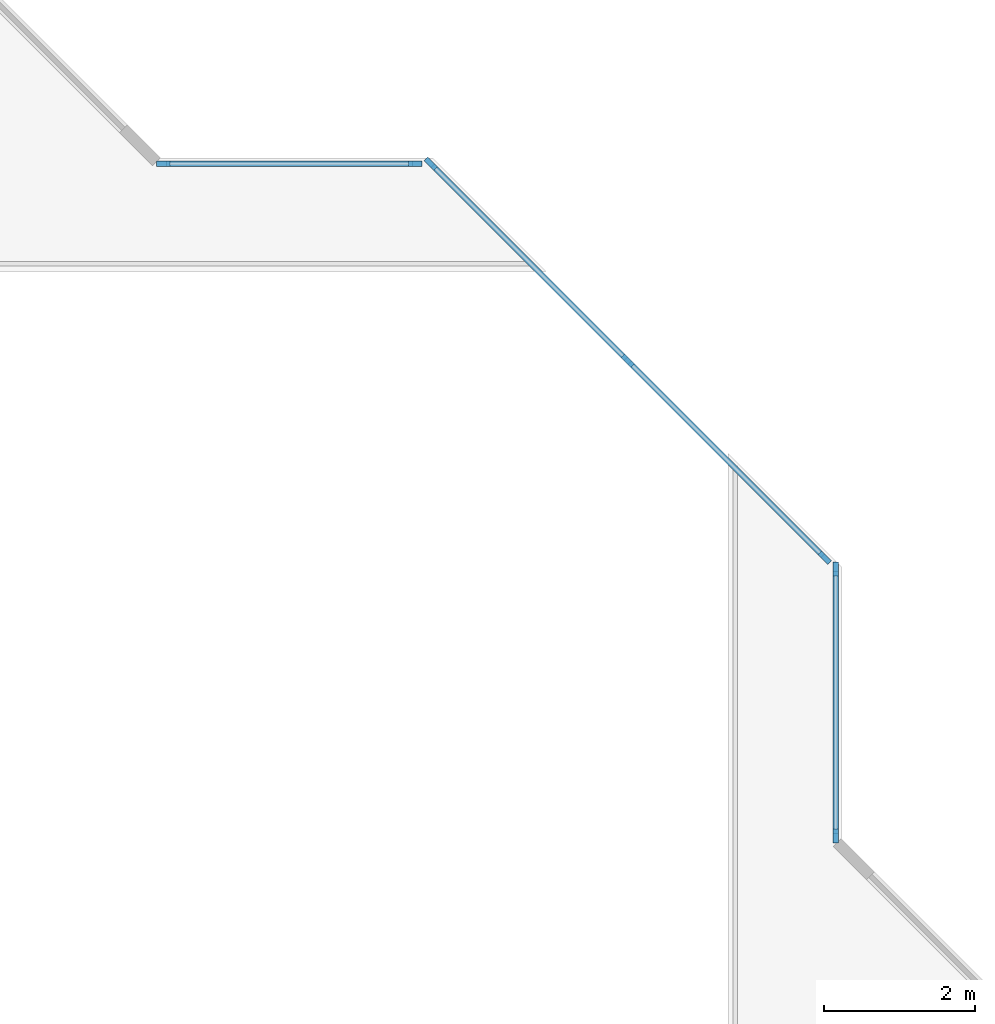
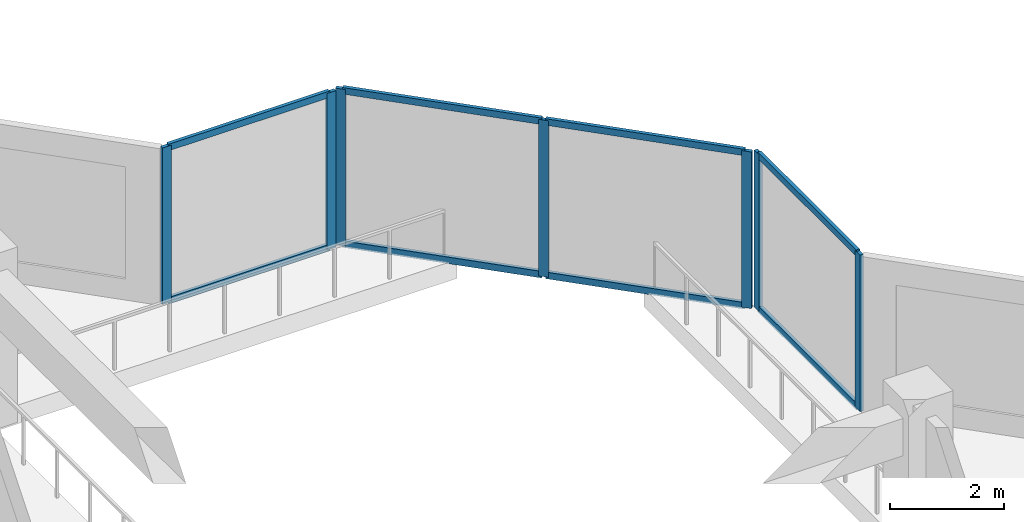
# One storey, part 2 of 14: 15 members, 3 elements without a shape of their own.
"""IFC4 building model written with IfcOpenShell, lengths in metres."""

from ifc_helpers import new_model, si_unit, direction, frame, origin, origin_2d, place, context, subcontext, project, spatial, rectangle, extrude, material, layer, layer_set, material_profile, profile_set, type_object, element, aggregate, save


model = new_model("IFC4")

# Units and contexts
model_context = context("Model", 3, precision=1e-05, world=origin(), true_north=direction((0.0, 1.0)))
body_context = subcontext(model_context, "Body", "Model", "MODEL_VIEW")
ifc_project = project(units=[si_unit("LENGTHUNIT", "METRE"), si_unit("AREAUNIT", "SQUARE_METRE"), si_unit("VOLUMEUNIT", "CUBIC_METRE"), si_unit("PLANEANGLEUNIT", "RADIAN"), si_unit("MASSUNIT", "GRAM", prefix="KILO")], contexts=[model_context])

# Site, building, storey
site_placement = place(None, origin())
site = spatial("IfcSite", under=ifc_project, at=site_placement, CompositionType="ELEMENT")
building_placement = place(site_placement, origin())
building = spatial("IfcBuilding", under=site, at=building_placement, Name="Chenar Terraces", CompositionType="ELEMENT")
storey_placement = place(building_placement, frame((0.0, 0.0, 168.64990234375)))
storey = spatial("IfcBuildingStorey", under=building, at=storey_placement, Name="L38", CompositionType="ELEMENT", Elevation=168.64990234375)

# Curtain wall, members
ifc_material_1 = material(Name="Aluminium framed glazing", Category="aluminium")
ifc_layer = layer(ifc_material_1, 0.14990234375)
ifc_layer_set = layer_set([ifc_layer], Name="Aluminium framed glazing")
curtain_wall_type = type_object("IfcCurtainWallType", Name="Atrium mid-zone curtain wall", PredefinedType="NOTDEFINED", material=ifc_layer_set)
placement = place(storey_placement, origin())
curtain_wall_1 = element("IfcCurtainWall", 1, at=placement, inside=storey, type_object=curtain_wall_type, Name="Atrium mid-zone curtain wall", PredefinedType="NOTDEFINED")
ifc_material_2 = material(Name="Aluminium", Category="aluminium")
ifc_material_profile_1 = material_profile(ifc_material_2, rectangle(XDim=0.070068359375, YDim=0.179931640625, at=origin_2d()), Name="Atrium mid-zone glazing mullion 70 x 180")
ifc_profile_set_1 = profile_set([ifc_material_profile_1], Name="Aluminium")
member_type_1 = type_object("IfcMemberType", Name="Atrium mid-zone glazing mullion 70 x 180", PredefinedType="MULLION", material=ifc_profile_set_1)
member_1_placement = place(storey_placement, frame((37.425048828125, 28.534912109375, 0.0), z_axis=(0.0, 0.0, 1.0), x_axis=(-1.0, 0.0, 0.0)))
member_1 = element("IfcMember", 2, at=member_1_placement, type_object=member_type_1, Name="CW7-1 mullion 1", PredefinedType="MULLION", context=body_context, shape_type="SweptSolid", body=[
    extrude(rectangle(XDim=0.070068359375, YDim=0.179931640625, at=origin_2d()), origin(), (0.0, 0.0, 1.0), 3.35009765625),
])
member_2_placement = place(storey_placement, frame((37.425048828125, 32.06494140625, 0.0), z_axis=(0.0, 0.0, 1.0), x_axis=(-1.0, 0.0, 0.0)))
member_2 = element("IfcMember", 3, at=member_2_placement, type_object=member_type_1, Name="CW7-1 mullion 2", PredefinedType="MULLION", context=body_context, shape_type="SweptSolid", body=[
    extrude(rectangle(XDim=0.070068359375, YDim=0.179931640625, at=origin_2d()), origin(), (0.0, 0.0, 1.0), 3.35009765625),
])

curtain_wall_2 = element("IfcCurtainWall", 4, at=placement, inside=storey, type_object=curtain_wall_type, Name="Atrium mid-zone curtain wall", PredefinedType="NOTDEFINED")
member_3_placement = place(storey_placement, frame((37.28076171875, 32.213134765625, 0.0), z_axis=(0.0, 0.0, 1.0), x_axis=(-0.707106781187, -0.707106781187, 0.0)))
member_3 = element("IfcMember", 5, at=member_3_placement, type_object=member_type_1, Name="CW7-2 mullion 1", PredefinedType="MULLION", context=body_context, shape_type="SweptSolid", body=[
    extrude(rectangle(XDim=0.070068359375, YDim=0.179931640625, at=origin_2d()), origin(), (0.0, 0.0, 1.0), 3.35009765625),
])
member_4_placement = place(storey_placement, frame((34.67626953125, 34.817626953125, 0.0), z_axis=(0.0, 0.0, 1.0), x_axis=(-0.707106781187, -0.707106781187, 0.0)))
member_4 = element("IfcMember", 6, at=member_4_placement, type_object=member_type_1, Name="CW7-2 mullion 2", PredefinedType="MULLION", context=body_context, shape_type="SweptSolid", body=[
    extrude(rectangle(XDim=0.070068359375, YDim=0.179931640625, at=origin_2d()), origin(), (0.0, 0.0, 1.0), 3.35009765625),
])
member_5_placement = place(storey_placement, frame((32.07177734375, 37.42236328125, 0.0), z_axis=(0.0, 0.0, 1.0), x_axis=(-0.707106781187, -0.707106781187, 0.0)))
member_5 = element("IfcMember", 7, at=member_5_placement, type_object=member_type_1, Name="CW7-2 mullion 3", PredefinedType="MULLION", context=body_context, shape_type="SweptSolid", body=[
    extrude(rectangle(XDim=0.070068359375, YDim=0.179931640625, at=origin_2d()), origin(), (0.0, 0.0, 1.0), 3.35009765625),
])

curtain_wall_3 = element("IfcCurtainWall", 8, at=placement, inside=storey, type_object=curtain_wall_type, Name="Atrium mid-zone curtain wall", PredefinedType="NOTDEFINED")
member_6_placement = place(storey_placement, frame((31.864990234375, 37.425048828125, 0.0), z_axis=(0.0, 0.0, 1.0), x_axis=(0.0, -1.0, 0.0)))
member_6 = element("IfcMember", 9, at=member_6_placement, type_object=member_type_1, Name="CW7-3 mullion 1", PredefinedType="MULLION", context=body_context, shape_type="SweptSolid", body=[
    extrude(rectangle(XDim=0.070068359375, YDim=0.179931640625, at=origin_2d()), origin(), (0.0, 0.0, 1.0), 3.35009765625),
])
member_7_placement = place(storey_placement, frame((28.534912109375, 37.425048828125, 0.0), z_axis=(0.0, 0.0, 1.0), x_axis=(0.0, -1.0, 0.0)))
member_7 = element("IfcMember", 10, at=member_7_placement, type_object=member_type_1, Name="CW7-3 mullion 2", PredefinedType="MULLION", context=body_context, shape_type="SweptSolid", body=[
    extrude(rectangle(XDim=0.070068359375, YDim=0.179931640625, at=origin_2d()), origin(), (0.0, 0.0, 1.0), 3.35009765625),
])

# Member
ifc_material_3 = material(Name="Aluminium", Category="aluminium")
ifc_material_profile_2 = material_profile(ifc_material_3, rectangle(XDim=0.070068359375, YDim=0.139892578125, at=origin_2d()), Name="Atrium mid-zone glazing transom 70 x 140")
ifc_profile_set_2 = profile_set([ifc_material_profile_2], Name="Aluminium")
member_type_2 = type_object("IfcMemberType", Name="Atrium mid-zone glazing transom 70 x 140", PredefinedType="USERDEFINED", material=ifc_profile_set_2)
member_8_placement = place(storey_placement, frame((37.425048828125, 28.570068359375, 0.03515625), z_axis=(0.0, 1.0, 0.0), x_axis=(-1.0, 0.0, 0.0)))
member_8 = element("IfcMember", 11, at=member_8_placement, type_object=member_type_2, Name="CW7-1 transom 1.1", ObjectType="TRANSOM", PredefinedType="USERDEFINED", context=body_context, shape_type="SweptSolid", body=[
    extrude(rectangle(XDim=0.070068359375, YDim=0.139892578125, at=origin_2d()), origin(), (0.0, 0.0, 1.0), 3.4599609375),
])

member_9_placement = place(storey_placement, frame((37.425048828125, 28.570068359375, 3.315185546875), z_axis=(0.0, 1.0, 0.0), x_axis=(-1.0, 0.0, 0.0)))
member_9 = element("IfcMember", 12, at=member_9_placement, type_object=member_type_2, Name="CW7-1 transom 1.2", ObjectType="TRANSOM", PredefinedType="USERDEFINED", context=body_context, shape_type="SweptSolid", body=[
    extrude(rectangle(XDim=0.070068359375, YDim=0.139892578125, at=origin_2d()), origin(), (0.0, 0.0, 1.0), 3.4599609375),
])

aggregate(curtain_wall_1, [member_1, member_2, member_8, member_9])

member_10_placement = place(storey_placement, frame((37.256103515625, 32.23779296875, 0.03515625), z_axis=(-0.707106781187, 0.707106781187, 0.0), x_axis=(-0.707106781187, -0.707106781187, 0.0)))
member_10 = element("IfcMember", 13, at=member_10_placement, type_object=member_type_2, Name="CW7-2 transom 1.1", ObjectType="TRANSOM", PredefinedType="USERDEFINED", context=body_context, shape_type="SweptSolid", body=[
    extrude(rectangle(XDim=0.070068359375, YDim=0.139892578125, at=origin_2d()), origin(), (0.0, 0.0, 1.0), 3.613525390625),
])

member_11_placement = place(storey_placement, frame((37.256103515625, 32.23779296875, 3.315185546875), z_axis=(-0.707106781187, 0.707106781187, 0.0), x_axis=(-0.707106781187, -0.707106781187, 0.0)))
member_11 = element("IfcMember", 14, at=member_11_placement, type_object=member_type_2, Name="CW7-2 transom 1.2", ObjectType="TRANSOM", PredefinedType="USERDEFINED", context=body_context, shape_type="SweptSolid", body=[
    extrude(rectangle(XDim=0.070068359375, YDim=0.139892578125, at=origin_2d()), origin(), (0.0, 0.0, 1.0), 3.613525390625),
])

member_12_placement = place(storey_placement, frame((34.651611328125, 34.842529296875, 0.03515625), z_axis=(-0.707140563131, 0.707072997628, 0.0), x_axis=(-0.707072997628, -0.707140563131, 0.0)))
member_12 = element("IfcMember", 15, at=member_12_placement, type_object=member_type_2, Name="CW7-2 transom 2.1", ObjectType="TRANSOM", PredefinedType="USERDEFINED", context=body_context, shape_type="SweptSolid", body=[
    extrude(rectangle(XDim=0.070068359375, YDim=0.139892578125, at=origin_2d()), origin(), (0.0, 0.0, 1.0), 3.61328125),
])

member_13_placement = place(storey_placement, frame((34.651611328125, 34.842529296875, 3.315185546875), z_axis=(-0.707140563131, 0.707072997628, 0.0), x_axis=(-0.707072997628, -0.707140563131, 0.0)))
member_13 = element("IfcMember", 16, at=member_13_placement, type_object=member_type_2, Name="CW7-2 transom 2.2", ObjectType="TRANSOM", PredefinedType="USERDEFINED", context=body_context, shape_type="SweptSolid", body=[
    extrude(rectangle(XDim=0.070068359375, YDim=0.139892578125, at=origin_2d()), origin(), (0.0, 0.0, 1.0), 3.61328125),
])

aggregate(curtain_wall_2, [member_3, member_4, member_5, member_10, member_11, member_12, member_13])

member_14_placement = place(storey_placement, frame((31.830078125, 37.425048828125, 0.03515625), z_axis=(-1.0, 0.0, 0.0), x_axis=(0.0, -1.0, 0.0)))
member_14 = element("IfcMember", 17, at=member_14_placement, type_object=member_type_2, Name="CW7-3 transom 1.1", ObjectType="TRANSOM", PredefinedType="USERDEFINED", context=body_context, shape_type="SweptSolid", body=[
    extrude(rectangle(XDim=0.070068359375, YDim=0.139892578125, at=origin_2d()), origin(), (0.0, 0.0, 1.0), 3.260009765625),
])

member_15_placement = place(storey_placement, frame((31.830078125, 37.425048828125, 3.315185546875), z_axis=(-1.0, 0.0, 0.0), x_axis=(0.0, -1.0, 0.0)))
member_15 = element("IfcMember", 18, at=member_15_placement, type_object=member_type_2, Name="CW7-3 transom 1.2", ObjectType="TRANSOM", PredefinedType="USERDEFINED", context=body_context, shape_type="SweptSolid", body=[
    extrude(rectangle(XDim=0.070068359375, YDim=0.139892578125, at=origin_2d()), origin(), (0.0, 0.0, 1.0), 3.260009765625),
])

aggregate(curtain_wall_3, [member_6, member_7, member_14, member_15])

save(model, "model.ifc")
